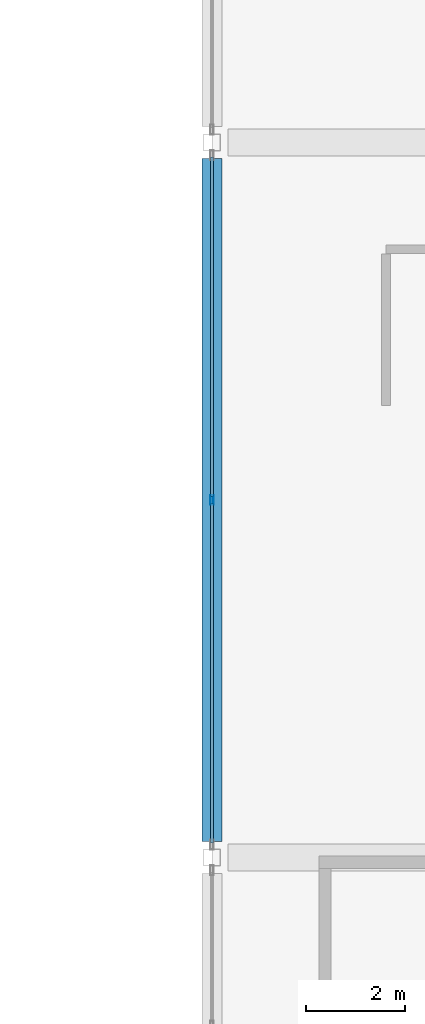
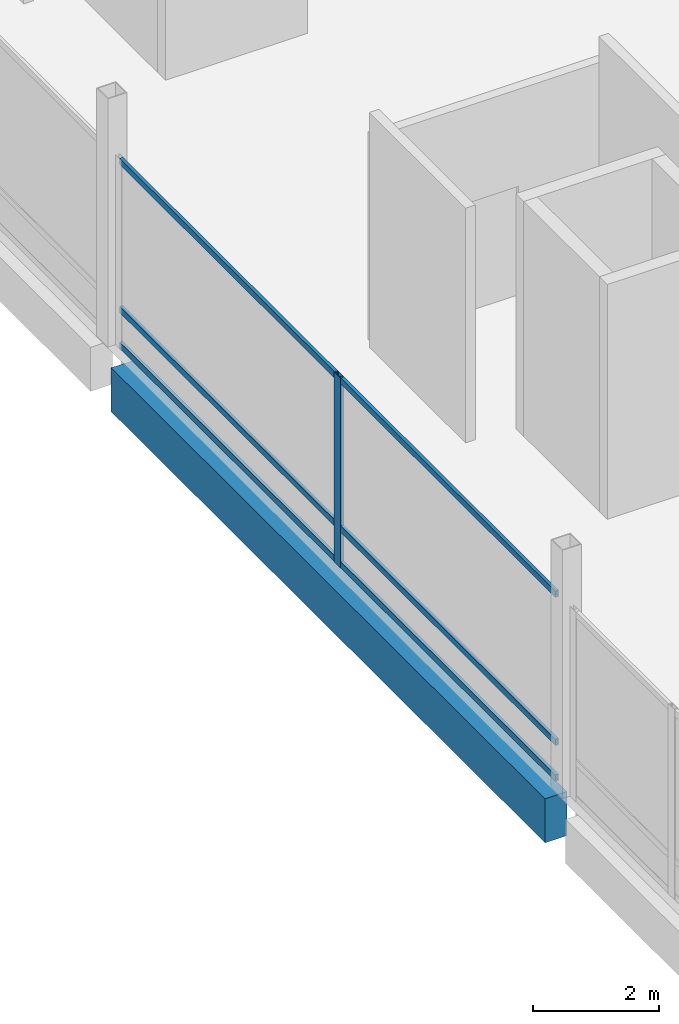
# One storey, part 70 of 193: 7 members, 1 beam, 1 element without a shape of its own.
"""IFC4 building model written with IfcOpenShell, lengths in metres."""

from ifc_helpers import new_model, si_unit, direction, frame, origin, origin_2d, place, context, subcontext, project, spatial, rectangle, hollow_rectangle, extrude, material, material_profile, profile_set, type_object, element, aggregate, save


model = new_model("IFC4")

# Units and contexts
model_context = context("Model", 3, precision=1e-05, world=origin(), true_north=direction((0.0, 1.0)))
body_context = subcontext(model_context, "Body", "Model", "MODEL_VIEW")
ifc_project = project(units=[si_unit("LENGTHUNIT", "METRE"), si_unit("AREAUNIT", "SQUARE_METRE"), si_unit("VOLUMEUNIT", "CUBIC_METRE"), si_unit("PLANEANGLEUNIT", "RADIAN"), si_unit("MASSUNIT", "GRAM", prefix="KILO")], contexts=[model_context])

# Site, building, storey
site_placement = place(None, origin())
site = spatial("IfcSite", under=ifc_project, at=site_placement, CompositionType="ELEMENT")
building_placement = place(site_placement, origin())
building = spatial("IfcBuilding", under=site, at=building_placement, Name="Cendralis Lancet Convention Centre", CompositionType="ELEMENT")
storey_placement = place(building_placement, frame((0.0, 0.0, 10.199951171875)))
storey = spatial("IfcBuildingStorey", under=building, at=storey_placement, Name="L02", CompositionType="ELEMENT", Elevation=10.199951171875)

# Curtain wall, members
ifc_material_1 = material(Name="Anodised bronze architectural aluminium", Category="aluminium")
curtain_wall_type = type_object("IfcCurtainWallType", Name="ARC-CW-PL02", PredefinedType="USERDEFINED", material=ifc_material_1)
curtain_wall_placement = place(storey_placement, origin())
curtain_wall = element("IfcCurtainWall", 1, at=curtain_wall_placement, inside=storey, type_object=curtain_wall_type, Name="L02 Curtain Wall CW-PL2 #127", ObjectType="CURTAIN WALL", PredefinedType="USERDEFINED")
ifc_material_profile_1 = material_profile(ifc_material_1, hollow_rectangle(XDim=0.070068359375, YDim=0.199951171875, WallThickness=0.0048828125, at=origin_2d()), Name="AL-MULL 70x200x5.0")
ifc_profile_set_1 = profile_set([ifc_material_profile_1], Name="Anodised bronze architectural aluminium")
member_type_1 = type_object("IfcMemberType", Name="ARC-CW-ML02", PredefinedType="MULLION", material=ifc_profile_set_1)
member_1_placement = place(storey_placement, frame((139.199951171875, 57.60009765625, 0.0), z_axis=(0.0, 0.0, 1.0), x_axis=(1.0, 0.0, 0.0)))
member_1 = element("IfcMember", 2, at=member_1_placement, type_object=member_type_1, Name="Mullion CW2-CW-PL2-L02-127-M1", PredefinedType="MULLION", context=body_context, shape_type="SweptSolid", body=[
    extrude(hollow_rectangle(XDim=0.070068359375, YDim=0.199951171875, WallThickness=0.0048828125, at=origin_2d()), origin(), (0.0, 0.0, 1.0), 3.675048828125),
])
ifc_material_profile_2 = material_profile(ifc_material_1, hollow_rectangle(XDim=0.06005859375, YDim=0.1201171875, WallThickness=0.00390625, at=origin_2d()), Name="AL-TRAN 60x120x4.0")
ifc_profile_set_2 = profile_set([ifc_material_profile_2], Name="Anodised bronze architectural aluminium")
member_type_2 = type_object("IfcMemberType", Name="ARC-CW-TR01", PredefinedType="USERDEFINED", material=ifc_profile_set_2)
member_2_placement = place(storey_placement, frame((139.199951171875, 50.695068359375, 0.06005859375), z_axis=(0.0, 1.0, 0.0), x_axis=(-1.0, 0.0, 0.0)))
member_2 = element("IfcMember", 3, at=member_2_placement, type_object=member_type_2, Name="Transom CW2-CW-PL2-L02-127-T0BOT", ObjectType="TRANSOM", PredefinedType="USERDEFINED", context=body_context, shape_type="SweptSolid", body=[
    extrude(hollow_rectangle(XDim=0.06005859375, YDim=0.1201171875, WallThickness=0.00390625, at=origin_2d()), origin(), (0.0, 0.0, 1.0), 6.8349609375),
])
member_3_placement = place(storey_placement, frame((139.199951171875, 50.695068359375, 0.75), z_axis=(0.0, 1.0, 0.0), x_axis=(-1.0, 0.0, 0.0)))
member_3 = element("IfcMember", 4, at=member_3_placement, type_object=member_type_2, Name="Transom CW2-CW-PL2-L02-127-T0MID", ObjectType="TRANSOM", PredefinedType="USERDEFINED", context=body_context, shape_type="SweptSolid", body=[
    extrude(hollow_rectangle(XDim=0.06005859375, YDim=0.1201171875, WallThickness=0.00390625, at=origin_2d()), origin(), (0.0, 0.0, 1.0), 6.8349609375),
])
member_4_placement = place(storey_placement, frame((139.199951171875, 50.695068359375, 3.614990234375), z_axis=(0.0, 1.0, 0.0), x_axis=(-1.0, 0.0, 0.0)))
member_4 = element("IfcMember", 5, at=member_4_placement, type_object=member_type_2, Name="Transom CW2-CW-PL2-L02-127-T0TOP", ObjectType="TRANSOM", PredefinedType="USERDEFINED", context=body_context, shape_type="SweptSolid", body=[
    extrude(hollow_rectangle(XDim=0.06005859375, YDim=0.1201171875, WallThickness=0.00390625, at=origin_2d()), origin(), (0.0, 0.0, 1.0), 6.8349609375),
])
member_5_placement = place(storey_placement, frame((139.199951171875, 57.669921875, 0.06005859375), z_axis=(0.0, 1.0, 0.0), x_axis=(-1.0, 0.0, 0.0)))
member_5 = element("IfcMember", 6, at=member_5_placement, type_object=member_type_2, Name="Transom CW2-CW-PL2-L02-127-T1BOT", ObjectType="TRANSOM", PredefinedType="USERDEFINED", context=body_context, shape_type="SweptSolid", body=[
    extrude(hollow_rectangle(XDim=0.06005859375, YDim=0.1201171875, WallThickness=0.00390625, at=origin_2d()), origin(), (0.0, 0.0, 1.0), 6.8349609375),
])
member_6_placement = place(storey_placement, frame((139.199951171875, 57.669921875, 0.75), z_axis=(0.0, 1.0, 0.0), x_axis=(-1.0, 0.0, 0.0)))
member_6 = element("IfcMember", 7, at=member_6_placement, type_object=member_type_2, Name="Transom CW2-CW-PL2-L02-127-T1MID", ObjectType="TRANSOM", PredefinedType="USERDEFINED", context=body_context, shape_type="SweptSolid", body=[
    extrude(hollow_rectangle(XDim=0.06005859375, YDim=0.1201171875, WallThickness=0.00390625, at=origin_2d()), origin(), (0.0, 0.0, 1.0), 6.8349609375),
])
member_7_placement = place(storey_placement, frame((139.199951171875, 57.669921875, 3.614990234375), z_axis=(0.0, 1.0, 0.0), x_axis=(-1.0, 0.0, 0.0)))
member_7 = element("IfcMember", 8, at=member_7_placement, type_object=member_type_2, Name="Transom CW2-CW-PL2-L02-127-T1TOP", ObjectType="TRANSOM", PredefinedType="USERDEFINED", context=body_context, shape_type="SweptSolid", body=[
    extrude(hollow_rectangle(XDim=0.06005859375, YDim=0.1201171875, WallThickness=0.00390625, at=origin_2d()), origin(), (0.0, 0.0, 1.0), 6.8349609375),
])
aggregate(curtain_wall, [member_1, member_2, member_3, member_4, member_5, member_6, member_7])

# Beam
ifc_material_2 = material(Name="Concrete G40 (C40/50)", Category="concrete")
ifc_material_profile_3 = material_profile(ifc_material_2, rectangle(XDim=0.39990234375, YDim=0.85009765625, at=origin_2d()), Name="RCB 400x850")
ifc_profile_set_3 = profile_set([ifc_material_profile_3], Name="Concrete G40 (C40/50)")
beam_type = type_object("IfcBeamType", Name="STR-SP-SP02", PredefinedType="SPANDREL", material=ifc_profile_set_3)
beam_placement = place(storey_placement, frame((139.199951171875, 50.72509765625, -0.724853515625), z_axis=(0.0, 1.0, 0.0), x_axis=(-1.0, 0.0, 0.0)))
element("IfcBeam", 9, at=beam_placement, inside=storey, type_object=beam_type, Name="L02 Beam SP02 #1478", PredefinedType="SPANDREL", context=body_context, shape_type="SweptSolid", body=[
    extrude(rectangle(XDim=0.39990234375, YDim=0.85009765625, at=origin_2d()), origin(), (0.0, 0.0, 1.0), 13.75),
])

save(model, "model.ifc")
